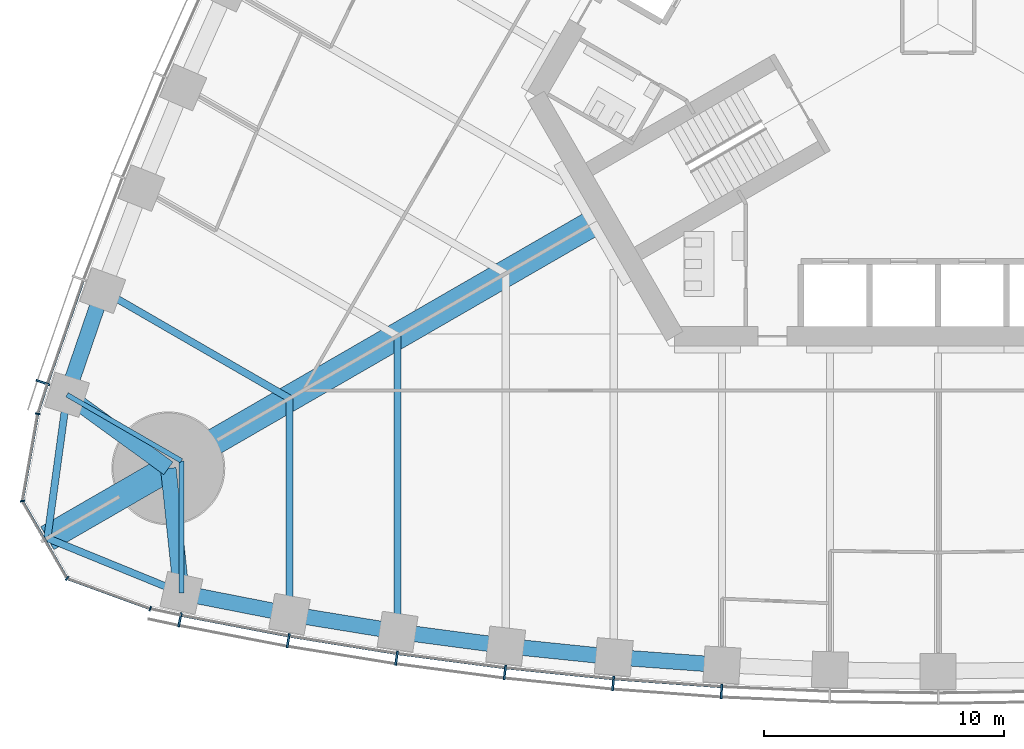
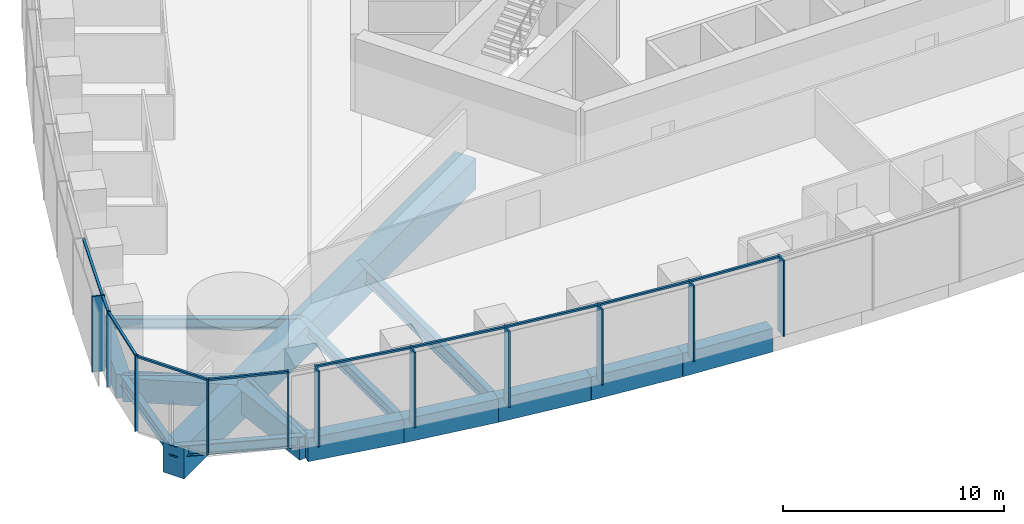
# One storey, part 2 of 18: 21 members, 17 beams, 3 elements without a shape of their own.
"""IFC4 building model written with IfcOpenShell, lengths in metres."""

from ifc_helpers import new_model, si_unit, direction, frame, origin, origin_2d, place, context, subcontext, project, spatial, rectangle, i_section, extrude, material, material_profile, profile_set, type_object, element, aggregate, save


model = new_model("IFC4")

# Units and contexts
model_context = context("Model", 3, precision=1e-05, world=origin(), true_north=direction((0.0, 1.0)))
body_context = subcontext(model_context, "Body", "Model", "MODEL_VIEW")
ifc_project = project(units=[si_unit("LENGTHUNIT", "METRE"), si_unit("AREAUNIT", "SQUARE_METRE"), si_unit("VOLUMEUNIT", "CUBIC_METRE"), si_unit("PLANEANGLEUNIT", "RADIAN"), si_unit("MASSUNIT", "GRAM", prefix="KILO")], contexts=[model_context])

# Site, building, storey
site_placement = place(None, origin())
site = spatial("IfcSite", under=ifc_project, at=site_placement, CompositionType="ELEMENT")
building_placement = place(site_placement, origin())
building = spatial("IfcBuilding", under=site, at=building_placement, Name="Trefoil Bronze Tower", CompositionType="ELEMENT")
storey_placement = place(building_placement, frame((0.0, 0.0, 58.5)))
storey = spatial("IfcBuildingStorey", under=building, at=storey_placement, Name="L13", CompositionType="ELEMENT", Elevation=58.5)

# Curtain wall, members
ifc_material_1 = material(Name="Tinted solar-control glass", Category="glass")
curtain_wall_type_1 = type_object("IfcCurtainWallType", Name="Bronze office curtain wall", PredefinedType="USERDEFINED", material=ifc_material_1)
curtain_wall_1_placement = place(storey_placement, origin())
curtain_wall_1 = element("IfcCurtainWall", 1, at=curtain_wall_1_placement, inside=storey, type_object=curtain_wall_type_1, Name="CW-A L13 F1", ObjectType="CURTAIN WALL", PredefinedType="USERDEFINED")
ifc_material_2 = material(Name="Bronze-finish aluminium", Category="aluminium")
ifc_material_profile_1 = material_profile(ifc_material_2, rectangle(XDim=0.60009765625, YDim=0.080078125, at=origin_2d()), Name="CW-A mullion")
ifc_profile_set_1 = profile_set([ifc_material_profile_1], Name="Bronze-finish aluminium")
member_type_1 = type_object("IfcMemberType", Name="Bronze office curtain wall mullion", PredefinedType="MULLION", material=ifc_profile_set_1)
member_1_placement = place(storey_placement, frame((-31.559326171875, -24.81005859375, 0.0), z_axis=(0.0, 0.0, 1.0), x_axis=(0.197910006829, 0.98022019424, 0.0)))
member_1 = element("IfcMember", 2, at=member_1_placement, type_object=member_type_1, Name="CW-A L13 F1 mullion 2", PredefinedType="MULLION", context=body_context, shape_type="SweptSolid", body=[
    extrude(rectangle(XDim=0.60009765625, YDim=0.080078125, at=origin_2d()), origin(), (0.0, 0.0, 1.0), 4.179931640625),
])
member_2_placement = place(storey_placement, frame((-27.05224609375, -25.67578125, 0.0), z_axis=(0.0, 0.0, 1.0), x_axis=(0.174131146426, 0.984722470468, 0.0)))
member_2 = element("IfcMember", 3, at=member_2_placement, type_object=member_type_1, Name="CW-A L13 F1 mullion 3", PredefinedType="MULLION", context=body_context, shape_type="SweptSolid", body=[
    extrude(rectangle(XDim=0.60009765625, YDim=0.080078125, at=origin_2d()), origin(), (0.0, 0.0, 1.0), 4.179931640625),
])
member_3_placement = place(storey_placement, frame((-22.54345703125, -26.40478515625, 0.0), z_axis=(0.0, 0.0, 1.0), x_axis=(0.145108990094, 0.989415676546, 0.0)))
member_3 = element("IfcMember", 4, at=member_3_placement, type_object=member_type_1, Name="CW-A L13 F1 mullion 4", PredefinedType="MULLION", context=body_context, shape_type="SweptSolid", body=[
    extrude(rectangle(XDim=0.60009765625, YDim=0.080078125, at=origin_2d()), origin(), (0.0, 0.0, 1.0), 4.179931640625),
])
member_4_placement = place(storey_placement, frame((-18.034912109375, -26.99853515625, 0.0), z_axis=(0.0, 0.0, 1.0), x_axis=(0.116086999973, 0.993239048989, 0.0)))
member_4 = element("IfcMember", 5, at=member_4_placement, type_object=member_type_1, Name="CW-A L13 F1 mullion 5", PredefinedType="MULLION", context=body_context, shape_type="SweptSolid", body=[
    extrude(rectangle(XDim=0.60009765625, YDim=0.080078125, at=origin_2d()), origin(), (0.0, 0.0, 1.0), 4.179931640625),
])
member_5_placement = place(storey_placement, frame((-13.526123046875, -27.458984375, 0.0), z_axis=(0.0, 0.0, 1.0), x_axis=(0.087065139456, 0.996202620701, 0.0)))
member_5 = element("IfcMember", 6, at=member_5_placement, type_object=member_type_1, Name="CW-A L13 F1 mullion 6", PredefinedType="MULLION", context=body_context, shape_type="SweptSolid", body=[
    extrude(rectangle(XDim=0.60009765625, YDim=0.080078125, at=origin_2d()), origin(), (0.0, 0.0, 1.0), 4.179931640625),
])
member_6_placement = place(storey_placement, frame((-9.017333984375, -27.786865234375, 0.0), z_axis=(0.0, 0.0, 1.0), x_axis=(0.058043374207, 0.998314062162, 0.0)))
member_6 = element("IfcMember", 7, at=member_6_placement, type_object=member_type_1, Name="CW-A L13 F1 mullion 7", PredefinedType="MULLION", context=body_context, shape_type="SweptSolid", body=[
    extrude(rectangle(XDim=0.60009765625, YDim=0.080078125, at=origin_2d()), origin(), (0.0, 0.0, 1.0), 4.179931640625),
])

# Curtain wall, member
curtain_wall_2_placement = place(storey_placement, origin())
curtain_wall_2 = element("IfcCurtainWall", 8, at=curtain_wall_2_placement, inside=storey, type_object=curtain_wall_type_1, Name="CW-A L13 F3", ObjectType="CURTAIN WALL", PredefinedType="USERDEFINED")
member_7_placement = place(storey_placement, frame((-37.265869140625, -14.92626953125, 0.0), z_axis=(0.0, 0.0, 1.0), x_axis=(0.947850592929, -0.318715003543, 0.0)))
member_7 = element("IfcMember", 9, at=member_7_placement, type_object=member_type_1, Name="CW-A L13 F3 mullion 16", PredefinedType="MULLION", context=body_context, shape_type="SweptSolid", body=[
    extrude(rectangle(XDim=0.60009765625, YDim=0.080078125, at=origin_2d()), origin(), (0.0, 0.0, 1.0), 4.179931640625),
])

# Member
ifc_material_3 = material(Name="Bronze-finish aluminium", Category="aluminium")
ifc_material_profile_2 = material_profile(ifc_material_3, rectangle(XDim=0.1201171875, YDim=0.10009765625, at=origin_2d()), Name="CW-A transom")
ifc_profile_set_2 = profile_set([ifc_material_profile_2], Name="Bronze-finish aluminium")
member_type_2 = type_object("IfcMemberType", Name="Bronze office curtain wall transom", PredefinedType="USERDEFINED", material=ifc_profile_set_2)
member_8_placement = place(storey_placement, frame((-31.4794921875, -24.621826171875, 4.1298828125), z_axis=(0.982053603997, -0.188602011855, 0.0), x_axis=(0.188602011855, 0.982053603997, 0.0)))
member_8 = element("IfcMember", 10, at=member_8_placement, type_object=member_type_2, Name="CW-A L13 F1 transom 2", ObjectType="TRANSOM", PredefinedType="USERDEFINED", context=body_context, shape_type="SweptSolid", body=[
    extrude(rectangle(XDim=0.1201171875, YDim=0.10009765625, at=origin_2d()), origin(), (0.0, 0.0, 1.0), 4.502197265625),
])

member_9_placement = place(storey_placement, frame((-26.9765625, -25.4853515625, 4.1298828125), z_axis=(0.987179401487, -0.159614627398, 0.0), x_axis=(0.159614627398, 0.987179401487, 0.0)))
member_9 = element("IfcMember", 11, at=member_9_placement, type_object=member_type_2, Name="CW-A L13 F1 transom 3", ObjectType="TRANSOM", PredefinedType="USERDEFINED", context=body_context, shape_type="SweptSolid", body=[
    extrude(rectangle(XDim=0.1201171875, YDim=0.10009765625, at=origin_2d()), origin(), (0.0, 0.0, 1.0), 4.478515625),
])

member_10_placement = place(storey_placement, frame((-22.473388671875, -26.212158203125, 4.1298828125), z_axis=(0.991436581643, -0.13058906761, 0.0), x_axis=(0.13058906761, 0.991436581643, 0.0)))
member_10 = element("IfcMember", 12, at=member_10_placement, type_object=member_type_2, Name="CW-A L13 F1 transom 4", ObjectType="TRANSOM", PredefinedType="USERDEFINED", context=body_context, shape_type="SweptSolid", body=[
    extrude(rectangle(XDim=0.1201171875, YDim=0.10009765625, at=origin_2d()), origin(), (0.0, 0.0, 1.0), 4.458740234375),
])

member_11_placement = place(storey_placement, frame((-17.970458984375, -26.80419921875, 4.1298828125), z_axis=(0.994831650915, -0.101538102888, 0.0), x_axis=(0.101538102888, 0.994831650915, 0.0)))
member_11 = element("IfcMember", 13, at=member_11_placement, type_object=member_type_2, Name="CW-A L13 F1 transom 5", ObjectType="TRANSOM", PredefinedType="USERDEFINED", context=body_context, shape_type="SweptSolid", body=[
    extrude(rectangle(XDim=0.1201171875, YDim=0.10009765625, at=origin_2d()), origin(), (0.0, 0.0, 1.0), 4.443359375),
])

member_12_placement = place(storey_placement, frame((-13.46728515625, -27.2626953125, 4.1298828125), z_axis=(0.997364729945, -0.07255064067, 0.0), x_axis=(0.07255064067, 0.997364729945, 0.0)))
member_12 = element("IfcMember", 14, at=member_12_placement, type_object=member_type_2, Name="CW-A L13 F1 transom 6", ObjectType="TRANSOM", PredefinedType="USERDEFINED", context=body_context, shape_type="SweptSolid", body=[
    extrude(rectangle(XDim=0.1201171875, YDim=0.10009765625, at=origin_2d()), origin(), (0.0, 0.0, 1.0), 4.431884765625),
])

aggregate(curtain_wall_1, [member_1, member_2, member_3, member_4, member_5, member_6, member_8, member_9, member_10, member_11, member_12])

member_13_placement = place(storey_placement, frame((-35.587646484375, -10.697509765625, 4.1298828125), z_axis=(-0.327689728493, -0.944785394595, 0.0), x_axis=(0.944785394595, -0.327689728493, 0.0)))
member_13 = element("IfcMember", 15, at=member_13_placement, type_object=member_type_2, Name="CW-A L13 F3 transom 15", ObjectType="TRANSOM", PredefinedType="USERDEFINED", context=body_context, shape_type="SweptSolid", body=[
    extrude(rectangle(XDim=0.1201171875, YDim=0.10009765625, at=origin_2d()), origin(), (0.0, 0.0, 1.0), 4.502197265625),
])

member_14_placement = place(storey_placement, frame((-37.089111328125, -15.02880859375, 4.1298828125), z_axis=(-0.309624219148, -0.950859002648, 0.0), x_axis=(0.950859002648, -0.309624219148, 0.0)))
member_14 = element("IfcMember", 16, at=member_14_placement, type_object=member_type_2, Name="CW-A L13 F3 transom 16", ObjectType="TRANSOM", PredefinedType="USERDEFINED", context=body_context, shape_type="SweptSolid", body=[
    extrude(rectangle(XDim=0.1201171875, YDim=0.10009765625, at=origin_2d()), origin(), (0.0, 0.0, 1.0), 1.21044921875),
])

aggregate(curtain_wall_2, [member_7, member_13, member_14])

# Curtain wall, members
ifc_material_4 = material(Name="Tinted solar-control glass", Category="glass")
curtain_wall_type_2 = type_object("IfcCurtainWallType", Name="Bronze rounded corner curtain wall", PredefinedType="USERDEFINED", material=ifc_material_4)
curtain_wall_3_placement = place(storey_placement, origin())
curtain_wall_3 = element("IfcCurtainWall", 17, at=curtain_wall_3_placement, inside=storey, type_object=curtain_wall_type_2, Name="CW-B L13 K3", ObjectType="CURTAIN WALL", PredefinedType="USERDEFINED")
ifc_material_5 = material(Name="Bronze-finish aluminium", Category="aluminium")
ifc_material_profile_3 = material_profile(ifc_material_5, rectangle(XDim=0.199951171875, YDim=0.06005859375, at=origin_2d()), Name="CW-B mullion")
ifc_profile_set_3 = profile_set([ifc_material_profile_3], Name="Bronze-finish aluminium")
member_type_3 = type_object("IfcMemberType", Name="Bronze rounded corner curtain wall mullion", PredefinedType="MULLION", material=ifc_profile_set_3)
member_15_placement = place(storey_placement, frame((-37.479736328125, -16.2314453125, 0.0), z_axis=(0.0, 0.0, 1.0), x_axis=(0.984807753012, -0.173648177667, 0.0)))
member_15 = element("IfcMember", 18, at=member_15_placement, type_object=member_type_3, Name="CW-B L13 K3 mullion 1", PredefinedType="MULLION", context=body_context, shape_type="SweptSolid", body=[
    extrude(rectangle(XDim=0.199951171875, YDim=0.06005859375, at=origin_2d()), origin(), (0.0, 0.0, 1.0), 4.179931640625),
])
member_16_placement = place(storey_placement, frame((-38.11328125, -19.85888671875, 0.0), z_axis=(0.0, 0.0, 1.0), x_axis=(0.984807753012, 0.173648177667, 0.0)))
member_16 = element("IfcMember", 19, at=member_16_placement, type_object=member_type_3, Name="CW-B L13 K3 mullion 2", PredefinedType="MULLION", context=body_context, shape_type="SweptSolid", body=[
    extrude(rectangle(XDim=0.199951171875, YDim=0.06005859375, at=origin_2d()), origin(), (0.0, 0.0, 1.0), 4.179931640625),
])
member_17_placement = place(storey_placement, frame((-36.2548828125, -23.07763671875, 0.0), z_axis=(0.0, 0.0, 1.0), x_axis=(0.642787609687, 0.766044443119, 0.0)))
member_17 = element("IfcMember", 20, at=member_17_placement, type_object=member_type_3, Name="CW-B L13 K3 mullion 3", PredefinedType="MULLION", context=body_context, shape_type="SweptSolid", body=[
    extrude(rectangle(XDim=0.199951171875, YDim=0.06005859375, at=origin_2d()), origin(), (0.0, 0.0, 1.0), 4.179931640625),
])
member_18_placement = place(storey_placement, frame((-32.796630859375, -24.3427734375, 0.0), z_axis=(0.0, 0.0, 1.0), x_axis=(0.342020143326, 0.939692620786, 0.0)))
member_18 = element("IfcMember", 21, at=member_18_placement, type_object=member_type_3, Name="CW-B L13 K3 mullion 4", PredefinedType="MULLION", context=body_context, shape_type="SweptSolid", body=[
    extrude(rectangle(XDim=0.199951171875, YDim=0.06005859375, at=origin_2d()), origin(), (0.0, 0.0, 1.0), 4.179931640625),
])
ifc_material_6 = material(Name="Bronze-finish aluminium", Category="aluminium")
ifc_material_profile_4 = material_profile(ifc_material_6, rectangle(XDim=0.1201171875, YDim=0.10009765625, at=origin_2d()), Name="CW-B transom")
ifc_profile_set_4 = profile_set([ifc_material_profile_4], Name="Bronze-finish aluminium")
member_type_4 = type_object("IfcMemberType", Name="Bronze rounded corner curtain wall transom", PredefinedType="USERDEFINED", material=ifc_profile_set_4)
member_19_placement = place(storey_placement, frame((-37.48486328125, -16.260986328125, 4.1298828125), z_axis=(-0.17363783606, -0.984809576461, 0.0), x_axis=(0.984809576461, -0.17363783606, 0.0)))
member_19 = element("IfcMember", 22, at=member_19_placement, type_object=member_type_4, Name="CW-B L13 K3 transom 1", ObjectType="TRANSOM", PredefinedType="USERDEFINED", context=body_context, shape_type="SweptSolid", body=[
    extrude(rectangle(XDim=0.1201171875, YDim=0.10009765625, at=origin_2d()), origin(), (0.0, 0.0, 1.0), 3.588134765625),
])
member_20_placement = place(storey_placement, frame((-38.08642578125, -19.91748046875, 4.1298828125), z_axis=(0.500024788772, -0.866011091507, 0.0), x_axis=(0.866011091507, 0.500024788772, 0.0)))
member_20 = element("IfcMember", 23, at=member_20_placement, type_object=member_type_4, Name="CW-B L13 K3 transom 2", ObjectType="TRANSOM", PredefinedType="USERDEFINED", context=body_context, shape_type="SweptSolid", body=[
    extrude(rectangle(XDim=0.1201171875, YDim=0.10009765625, at=origin_2d()), origin(), (0.0, 0.0, 1.0), 3.588134765625),
])
member_21_placement = place(storey_placement, frame((-36.196533203125, -23.105224609375, 4.1298828125), z_axis=(0.939688092095, -0.342032585545, 0.0), x_axis=(0.342032585545, 0.939688092095, 0.0)))
member_21 = element("IfcMember", 24, at=member_21_placement, type_object=member_type_4, Name="CW-B L13 K3 transom 3", ObjectType="TRANSOM", PredefinedType="USERDEFINED", context=body_context, shape_type="SweptSolid", body=[
    extrude(rectangle(XDim=0.1201171875, YDim=0.10009765625, at=origin_2d()), origin(), (0.0, 0.0, 1.0), 3.588134765625),
])
aggregate(curtain_wall_3, [member_15, member_16, member_17, member_18, member_19, member_20, member_21])

# Beams
ifc_material_7 = material(Name="Concrete B80", Category="concrete")
ifc_material_profile_5 = material_profile(ifc_material_7, rectangle(XDim=1.10009765625, YDim=1.699951171875, at=origin_2d()), Name="RC 1100x1700")
ifc_profile_set_5 = profile_set([ifc_material_profile_5], Name="Concrete B80")
beam_type_1 = type_object("IfcBeamType", Name="Corner cantilever RC 1100x1700", PredefinedType="BEAM", material=ifc_profile_set_5)
beam_1_placement = place(storey_placement, frame((-32.04296875, -18.5, -1.050048828125), z_axis=(-0.866030348588, -0.499991435252, 0.0), x_axis=(0.499991435252, -0.866030348588, 0.0)))
element("IfcBeam", 25, at=beam_1_placement, inside=storey, type_object=beam_type_1, Name="Corner cantilever K3 L13", PredefinedType="BEAM", context=body_context, shape_type="SweptSolid", body=[
    extrude(rectangle(XDim=1.10009765625, YDim=1.699951171875, at=origin_2d()), origin(), (0.0, 0.0, 1.0), 5.81396484375),
])
ifc_material_8 = material(Name="Steel C355", Category="steel")
ifc_material_profile_6 = material_profile(ifc_material_8, i_section(OverallWidth=0.300048828125, OverallDepth=0.60009765625, WebThickness=0.015380859375, FlangeThickness=0.030029296875, FilletRadius=0.027099609375, at=origin_2d()), Name="HEB 600")
ifc_profile_set_6 = profile_set([ifc_material_profile_6], Name="Steel C355")
beam_type_2 = type_object("IfcBeamType", Name="Corner edge beam HEB 600", PredefinedType="BEAM", material=ifc_profile_set_6)
beam_2_placement = place(storey_placement, frame((-31.5, -23.684814453125, -0.5), z_axis=(-0.925786874353, 0.378045848114, 0.0), x_axis=(-0.378045848114, -0.925786874353, 0.0)))
element("IfcBeam", 26, at=beam_2_placement, inside=storey, type_object=beam_type_2, Name="Corner edge beam F1B L13", PredefinedType="BEAM", context=body_context, shape_type="SweptSolid", body=[
    extrude(i_section(OverallWidth=0.300048828125, OverallDepth=0.60009765625, WebThickness=0.015380859375, FlangeThickness=0.030029296875, FilletRadius=0.027099609375, at=origin_2d()), origin(), (0.0, 0.0, 1.0), 6.025390625),
])
beam_3_placement = place(storey_placement, frame((-36.26171875, -15.4375, -0.5), z_axis=(-0.13550196505, -0.990777077585, 0.0), x_axis=(0.990777077585, -0.13550196505, 0.0)))
element("IfcBeam", 27, at=beam_3_placement, inside=storey, type_object=beam_type_2, Name="Corner edge beam F3A L13", PredefinedType="BEAM", context=body_context, shape_type="SweptSolid", body=[
    extrude(i_section(OverallWidth=0.300048828125, OverallDepth=0.60009765625, WebThickness=0.015380859375, FlangeThickness=0.030029296875, FilletRadius=0.027099609375, at=origin_2d()), origin(), (0.0, 0.0, 1.0), 6.025146484375),
])
ifc_material_9 = material(Name="Concrete B80", Category="concrete")
ifc_material_profile_7 = material_profile(ifc_material_9, rectangle(XDim=1.10009765625, YDim=1.699951171875, at=origin_2d()), Name="RC 1100x1700")
ifc_profile_set_7 = profile_set([ifc_material_profile_7], Name="Concrete B80")
beam_type_3 = type_object("IfcBeamType", Name="Corner girder RC 1100x1700", PredefinedType="BEAM", material=ifc_profile_set_7)
beam_4_placement = place(storey_placement, frame((-14.202880859375, -8.199951171875, -1.050048828125), z_axis=(-0.866023947468, -0.500002522405, 0.0), x_axis=(0.500002522405, -0.866023947468, 0.0)))
element("IfcBeam", 28, at=beam_4_placement, inside=storey, type_object=beam_type_3, Name="Corner girder K3 L13", PredefinedType="BEAM", context=body_context, shape_type="SweptSolid", body=[
    extrude(rectangle(XDim=1.10009765625, YDim=1.699951171875, at=origin_2d()), origin(), (0.0, 0.0, 1.0), 20.60009765625),
])
ifc_material_10 = material(Name="Concrete B80", Category="concrete")
ifc_material_profile_8 = material_profile(ifc_material_10, rectangle(XDim=0.64990234375, YDim=1.300048828125, at=origin_2d()), Name="RC 650x1300")
ifc_profile_set_8 = profile_set([ifc_material_profile_8], Name="Concrete B80")
beam_type_4 = type_object("IfcBeamType", Name="End spandrel beam RC 650x1300", PredefinedType="SPANDREL", material=ifc_profile_set_8)
for number, where, z_axis, x_axis, name in (
    (29, (-32.04296875, -18.5, -0.85009765625), (0.104153327908, -0.994561252154, 0.0), (0.994561252154, 0.104153327908, 0.0), "Spandrel F1.1 L13"),
    (30, (-36.26171875, -15.4375, -0.85009765625), (0.809254211267, -0.587458612624, 0.0), (0.587458612624, 0.809254211267, 0.0), "Spandrel F3.16 L13"),
):
    element("IfcBeam", number, at=place(storey_placement, frame(where, z_axis=z_axis, x_axis=x_axis)), inside=storey, type_object=beam_type_4, Name=name, PredefinedType="SPANDREL", context=body_context, shape_type="SweptSolid", body=[
        extrude(rectangle(XDim=0.64990234375, YDim=1.300048828125, at=origin_2d()), origin(), (0.0, 0.0, 1.0), 5.213134765625),
    ])
ifc_material_11 = material(Name="Steel C355", Category="steel")
ifc_material_profile_9 = material_profile(ifc_material_11, i_section(OverallWidth=0.300048828125, OverallDepth=0.590087890625, WebThickness=0.012939453125, FlangeThickness=0.02490234375, FilletRadius=0.027099609375, at=origin_2d()), Name="HEA 600")
ifc_profile_set_9 = profile_set([ifc_material_profile_9], Name="Steel C355")
beam_type_5 = type_object("IfcBeamType", Name="Floor beam HEA 600", PredefinedType="BEAM", material=ifc_profile_set_9)
for number, where, z_axis, x_axis, name in (
    (31, (-27.0, -24.56787109375, -0.4951171875), (0.0, 1.0, 0.0), (-1.0, 0.0, 0.0), "Floor beam F1/-6 L13"),
    (32, (-34.7763671875, -11.0986328125, -0.4951171875), (0.866022587327, -0.500004878216, 0.0), (0.500004878216, 0.866022587327, 0.0), "Floor beam F3/+6 L13"),
):
    element("IfcBeam", number, at=place(storey_placement, frame(where, z_axis=z_axis, x_axis=x_axis)), inside=storey, type_object=beam_type_5, Name=name, PredefinedType="BEAM", context=body_context, shape_type="SweptSolid", body=[
        extrude(i_section(OverallWidth=0.300048828125, OverallDepth=0.590087890625, WebThickness=0.012939453125, FlangeThickness=0.02490234375, FilletRadius=0.027099609375, at=origin_2d()), origin(), (0.0, 0.0, 1.0), 8.9794921875),
    ])
ifc_material_12 = material(Name="Steel C355", Category="steel")
ifc_material_profile_10 = material_profile(ifc_material_12, i_section(OverallWidth=0.300048828125, OverallDepth=0.800048828125, WebThickness=0.017578125, FlangeThickness=0.032958984375, FilletRadius=0.030029296875, at=origin_2d()), Name="HEB 800")
ifc_profile_set_10 = profile_set([ifc_material_profile_10], Name="Steel C355")
beam_type_6 = type_object("IfcBeamType", Name="Floor beam HEB 800", PredefinedType="BEAM", material=ifc_profile_set_10)
beam_5_placement = place(storey_placement, frame((-22.5, -25.29931640625, -0.60009765625), z_axis=(0.0, 1.0, 0.0), x_axis=(-1.0, 0.0, 0.0)))
element("IfcBeam", 33, at=beam_5_placement, inside=storey, type_object=beam_type_6, Name="Floor beam F1/-5 L13", PredefinedType="BEAM", context=body_context, shape_type="SweptSolid", body=[
    extrude(i_section(OverallWidth=0.300048828125, OverallDepth=0.800048828125, WebThickness=0.017578125, FlangeThickness=0.032958984375, FilletRadius=0.030029296875, at=origin_2d()), origin(), (0.0, 0.0, 1.0), 12.308837890625),
])
ifc_material_13 = material(Name="Steel C355", Category="steel")
ifc_material_profile_11 = material_profile(ifc_material_13, i_section(OverallWidth=0.199951171875, OverallDepth=0.5, WebThickness=0.01025390625, FlangeThickness=0.01611328125, FilletRadius=0.02099609375, at=origin_2d()), Name="IPE 500")
ifc_profile_set_11 = profile_set([ifc_material_profile_11], Name="Steel C355")
beam_type_7 = type_object("IfcBeamType", Name="Floor beam IPE 500", PredefinedType="BEAM", material=ifc_profile_set_11)
for number, where, z_axis, x_axis, name in (
    (34, (-31.5, -23.684814453125, -0.449951171875), (0.0, 1.0, 0.0), (-1.0, 0.0, 0.0), "Floor beam F1/-7 L13"),
    (35, (-36.26171875, -15.4375, -0.449951171875), (0.866037702141, -0.499978698016, 0.0), (0.499978698016, 0.866037702141, 0.0), "Floor beam F3/+7 L13"),
):
    element("IfcBeam", number, at=place(storey_placement, frame(where, z_axis=z_axis, x_axis=x_axis)), inside=storey, type_object=beam_type_7, Name=name, PredefinedType="BEAM", context=body_context, shape_type="SweptSolid", body=[
        extrude(i_section(OverallWidth=0.199951171875, OverallDepth=0.5, WebThickness=0.01025390625, FlangeThickness=0.01611328125, FilletRadius=0.02099609375, at=origin_2d()), origin(), (0.0, 0.0, 1.0), 5.498291015625),
    ])
ifc_material_14 = material(Name="Concrete B80", Category="concrete")
ifc_material_profile_12 = material_profile(ifc_material_14, rectangle(XDim=0.64990234375, YDim=1.300048828125, at=origin_2d()), Name="RC 650x1300")
ifc_profile_set_12 = profile_set([ifc_material_profile_12], Name="Concrete B80")
beam_type_8 = type_object("IfcBeamType", Name="Spandrel beam RC 650x1300", PredefinedType="SPANDREL", material=ifc_profile_set_12)
beam_6_placement = place(storey_placement, frame((-31.5, -23.684814453125, -0.85009765625), z_axis=(0.981284764092, -0.192562228283, 0.0), x_axis=(0.192562228283, 0.981284764092, 0.0)))
element("IfcBeam", 36, at=beam_6_placement, inside=storey, type_object=beam_type_8, Name="Spandrel F1.2 L13", PredefinedType="SPANDREL", context=body_context, shape_type="SweptSolid", body=[
    extrude(rectangle(XDim=0.64990234375, YDim=1.300048828125, at=origin_2d()), origin(), (0.0, 0.0, 1.0), 4.5859375),
])
beam_7_placement = place(storey_placement, frame((-27.0, -24.56787109375, -0.85009765625), z_axis=(0.987045951254, -0.160437807615, 0.0), x_axis=(0.160437807615, 0.987045951254, 0.0)))
element("IfcBeam", 37, at=beam_7_placement, inside=storey, type_object=beam_type_8, Name="Spandrel F1.3 L13", PredefinedType="SPANDREL", context=body_context, shape_type="SweptSolid", body=[
    extrude(rectangle(XDim=0.64990234375, YDim=1.300048828125, at=origin_2d()), origin(), (0.0, 0.0, 1.0), 4.55908203125),
])
beam_8_placement = place(storey_placement, frame((-22.5, -25.29931640625, -0.85009765625), z_axis=(0.991344474846, -0.131286450906, 0.0), x_axis=(0.131286450906, 0.991344474846, 0.0)))
element("IfcBeam", 38, at=beam_8_placement, inside=storey, type_object=beam_type_8, Name="Spandrel F1.4 L13", PredefinedType="SPANDREL", context=body_context, shape_type="SweptSolid", body=[
    extrude(rectangle(XDim=0.64990234375, YDim=1.300048828125, at=origin_2d()), origin(), (0.0, 0.0, 1.0), 4.539306640625),
])
beam_9_placement = place(storey_placement, frame((-18.0, -25.895263671875, -0.85009765625), z_axis=(0.994778488621, -0.102057623805, 0.0), x_axis=(0.102057623805, 0.994778488621, 0.0)))
element("IfcBeam", 39, at=beam_9_placement, inside=storey, type_object=beam_type_8, Name="Spandrel F1.5 L13", PredefinedType="SPANDREL", context=body_context, shape_type="SweptSolid", body=[
    extrude(rectangle(XDim=0.64990234375, YDim=1.300048828125, at=origin_2d()), origin(), (0.0, 0.0, 1.0), 4.523681640625),
])
beam_10_placement = place(storey_placement, frame((-13.5, -26.35693359375, -0.85009765625), z_axis=(0.997336412354, -0.072938882588, 0.0), x_axis=(0.072938882588, 0.997336412354, 0.0)))
element("IfcBeam", 40, at=beam_10_placement, inside=storey, type_object=beam_type_8, Name="Spandrel F1.6 L13", PredefinedType="SPANDREL", context=body_context, shape_type="SweptSolid", body=[
    extrude(rectangle(XDim=0.64990234375, YDim=1.300048828125, at=origin_2d()), origin(), (0.0, 0.0, 1.0), 4.511962890625),
])
beam_11_placement = place(storey_placement, frame((-34.7763671875, -11.0986328125, -0.85009765625), z_axis=(-0.323883319148, -0.946097032855, 0.0), x_axis=(0.946097032855, -0.323883319148, 0.0)))
element("IfcBeam", 41, at=beam_11_placement, inside=storey, type_object=beam_type_8, Name="Spandrel F3.15 L13", PredefinedType="SPANDREL", context=body_context, shape_type="SweptSolid", body=[
    extrude(rectangle(XDim=0.64990234375, YDim=1.300048828125, at=origin_2d()), origin(), (0.0, 0.0, 1.0), 4.586181640625),
])

save(model, "model.ifc")
